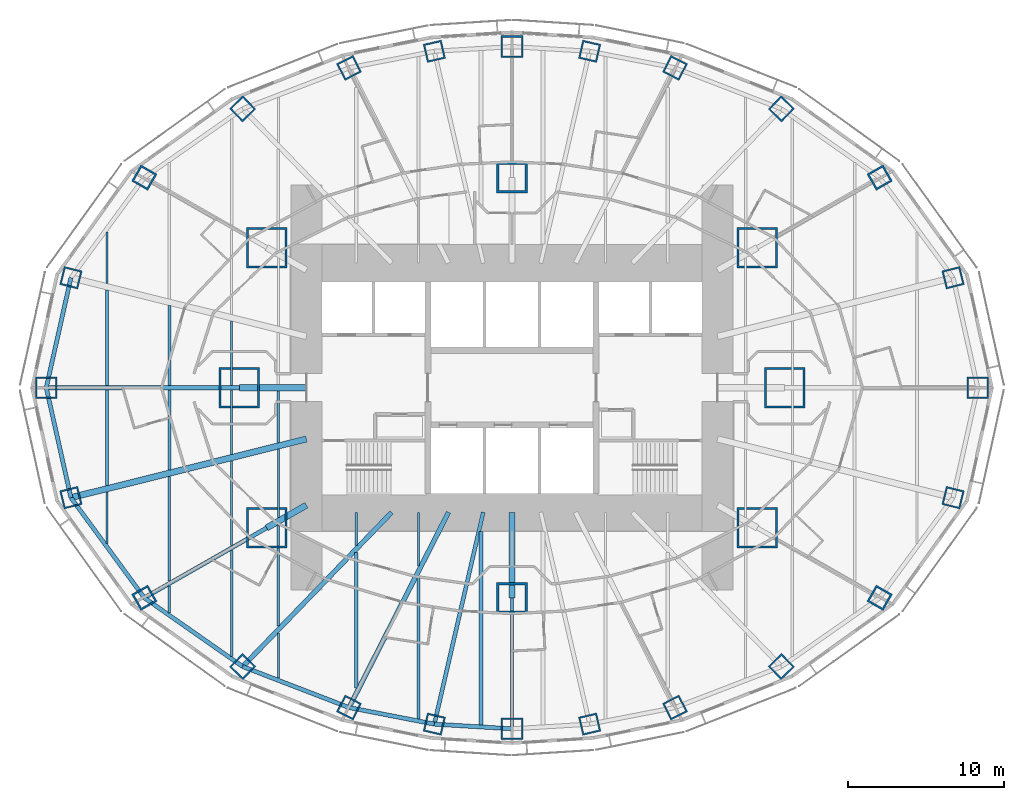
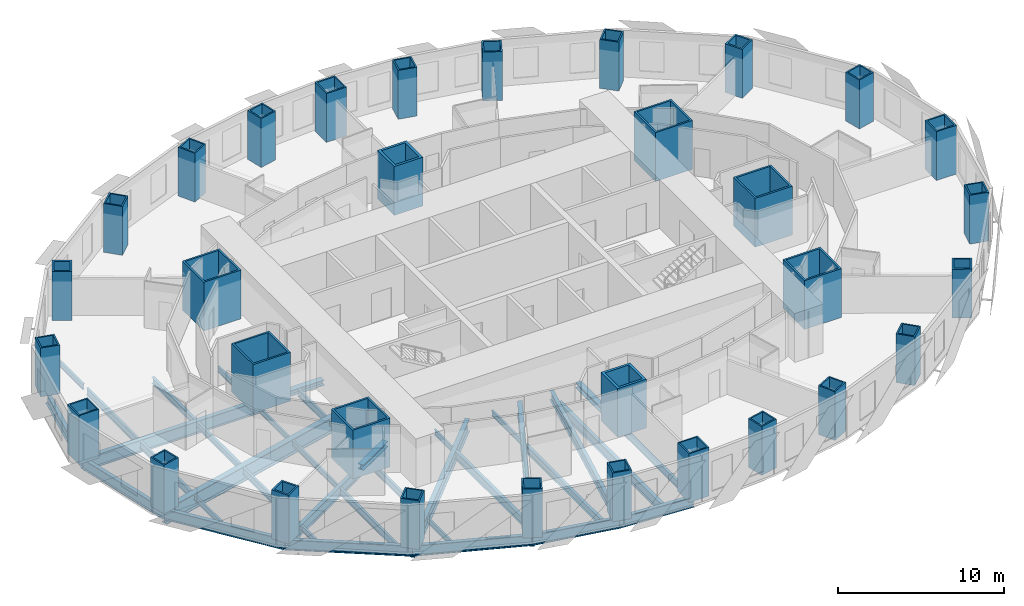
# One storey, part 1 of 15: 38 beams, 32 columns.
"""IFC4 building model written with IfcOpenShell, lengths in metres."""

from ifc_helpers import new_model, si_unit, direction, frame, origin, origin_2d, place, context, subcontext, project, spatial, rectangle, hollow_rectangle, i_section, extrude, material, material_profile, profile_set, type_object, element, save


model = new_model("IFC4")

# Units and contexts
model_context = context("Model", 3, precision=1e-05, world=origin(), true_north=direction((0.0, 1.0)))
body_context = subcontext(model_context, "Body", "Model", "MODEL_VIEW")
ifc_project = project(units=[si_unit("LENGTHUNIT", "METRE"), si_unit("AREAUNIT", "SQUARE_METRE"), si_unit("VOLUMEUNIT", "CUBIC_METRE"), si_unit("PLANEANGLEUNIT", "RADIAN"), si_unit("MASSUNIT", "GRAM", prefix="KILO")], contexts=[model_context])

# Site, building, storey
site_placement = place(None, origin())
site = spatial("IfcSite", under=ifc_project, at=site_placement, CompositionType="ELEMENT")
building_placement = place(site_placement, origin())
building = spatial("IfcBuilding", under=site, at=building_placement, Name="Lantaw Convention Tower", CompositionType="ELEMENT")
storey_placement = place(building_placement, frame((0.0, 0.0, 87.39990234375)))
storey = spatial("IfcBuildingStorey", under=building, at=storey_placement, Name="L20", CompositionType="ELEMENT", Elevation=87.39990234375)

# Columns
ifc_material_1 = material(Name="Steel EN 10025-3 S460N", Category="steel")
ifc_material_profile_1 = material_profile(ifc_material_1, hollow_rectangle(XDim=2.0, YDim=2.0, WallThickness=0.169921875, at=origin_2d()), Name="BOX2000X170")
ifc_material_2 = material(Name="Concrete C60/75", Category="concrete")
ifc_material_profile_2 = material_profile(ifc_material_2, rectangle(XDim=1.659912109375, YDim=1.659912109375, at=origin_2d()), Name="Concrete fill of BOX2000X170")
ifc_profile_set_1 = profile_set([ifc_material_profile_1, ifc_material_profile_2], Name="Steel EN 10025-3 S460N")
column_type_1 = type_object("IfcColumnType", Name="Column MC BOX2000X170", PredefinedType="COLUMN", material=ifc_profile_set_1)
for number, where, z_axis, x_axis, name in (
    (1, (0.0, 13.5, 0.0), (0.0, 0.0, 1.0), (1.0, 0.0, 0.0), "Mega column M3"),
    (2, (0.0, -13.5, 0.0), (0.0, 0.0, 1.0), (1.0, 0.0, 0.0), "Mega column M7"),
):
    element("IfcColumn", number, at=place(storey_placement, frame(where, z_axis=z_axis, x_axis=x_axis)), inside=storey, type_object=column_type_1, Name=name, PredefinedType="COLUMN", context=body_context, shape_type="SweptSolid", body=[
        extrude(hollow_rectangle(XDim=2.0, YDim=2.0, WallThickness=0.169921875, at=origin_2d()), origin(), (0.0, 0.0, 1.0), 3.60009765625),
    ])
ifc_material_profile_3 = material_profile(ifc_material_1, hollow_rectangle(XDim=2.60009765625, YDim=2.60009765625, WallThickness=0.1298828125, at=origin_2d()), Name="BOX2600X130")
ifc_material_profile_4 = material_profile(ifc_material_2, rectangle(XDim=2.340087890625, YDim=2.340087890625, at=origin_2d()), Name="Concrete fill of BOX2600X130")
ifc_profile_set_2 = profile_set([ifc_material_profile_3, ifc_material_profile_4], Name="Steel EN 10025-3 S460N")
column_type_2 = type_object("IfcColumnType", Name="Column MC BOX2600X130", PredefinedType="COLUMN", material=ifc_profile_set_2)
for number, where, z_axis, x_axis, name in (
    (3, (17.5, 0.0, 0.0), (0.0, 0.0, 1.0), (1.0, 0.0, 0.0), "Mega column M1"),
    (4, (15.75, 9.0, 0.0), (0.0, 0.0, 1.0), (1.0, 0.0, 0.0), "Mega column M2"),
    (5, (-15.75, 9.0, 0.0), (0.0, 0.0, 1.0), (1.0, 0.0, 0.0), "Mega column M4"),
    (6, (-17.5, 0.0, 0.0), (0.0, 0.0, 1.0), (1.0, 0.0, 0.0), "Mega column M5"),
    (7, (-15.75, -9.0, 0.0), (0.0, 0.0, 1.0), (1.0, 0.0, 0.0), "Mega column M6"),
    (8, (15.75, -9.0, 0.0), (0.0, 0.0, 1.0), (1.0, 0.0, 0.0), "Mega column M8"),
):
    element("IfcColumn", number, at=place(storey_placement, frame(where, z_axis=z_axis, x_axis=x_axis)), inside=storey, type_object=column_type_2, Name=name, PredefinedType="COLUMN", context=body_context, shape_type="SweptSolid", body=[
        extrude(hollow_rectangle(XDim=2.60009765625, YDim=2.60009765625, WallThickness=0.1298828125, at=origin_2d()), origin(), (0.0, 0.0, 1.0), 3.60009765625),
    ])
ifc_material_profile_5 = material_profile(ifc_material_1, hollow_rectangle(XDim=1.199951171875, YDim=1.199951171875, WallThickness=0.10009765625, at=origin_2d()), Name="BOX1200X100")
ifc_material_profile_6 = material_profile(ifc_material_2, rectangle(XDim=1.0, YDim=1.0, at=origin_2d()), Name="Concrete fill of BOX1200X100")
ifc_profile_set_3 = profile_set([ifc_material_profile_5, ifc_material_profile_6], Name="Steel EN 10025-3 S460N")
column_type_3 = type_object("IfcColumnType", Name="Column PC BOX1200X100", PredefinedType="COLUMN", material=ifc_profile_set_3)
for number, where, z_axis, x_axis, name in (
    (9, (28.31787109375, 7.060302734375, 0.0), (0.0, 0.0, 1.0), (0.970295726276, 0.2419218956, 0.0), "Perimeter column P2"),
    (10, (17.290771484375, 17.9052734375, 0.0), (0.0, 0.0, 1.0), (0.694658370459, 0.719339800339, 0.0), "Perimeter column P4"),
    (11, (10.462646484375, 20.533935546875, 0.0), (0.0, 0.0, 1.0), (0.45399049974, 0.891006524188, 0.0), "Perimeter column P5"),
    (12, (4.986328125, 21.59814453125, 0.0), (0.0, 0.0, 1.0), (0.224951054344, 0.974370064785, 0.0), "Perimeter column P6"),
    (13, (-4.986328125, 21.59814453125, 0.0), (0.0, 0.0, 1.0), (0.974370064785, 0.224951054344, 0.0), "Perimeter column P8"),
    (14, (-10.462646484375, 20.533935546875, 0.0), (0.0, 0.0, 1.0), (0.891006524188, 0.45399049974, 0.0), "Perimeter column P9"),
    (15, (-17.290771484375, 17.9052734375, 0.0), (0.0, 0.0, 1.0), (0.719339800339, 0.694658370459, 0.0), "Perimeter column P10"),
    (16, (-28.31787109375, 7.060302734375, 0.0), (0.0, 0.0, 1.0), (0.2419218956, 0.970295726276, 0.0), "Perimeter column P12"),
    (17, (-28.31787109375, -7.060302734375, 0.0), (0.0, 0.0, 1.0), (0.970295726276, 0.2419218956, 0.0), "Perimeter column P14"),
    (18, (-17.290771484375, -17.9052734375, 0.0), (0.0, 0.0, 1.0), (0.694658370459, 0.719339800339, 0.0), "Perimeter column P16"),
    (19, (-10.462646484375, -20.533935546875, 0.0), (0.0, 0.0, 1.0), (0.45399049974, 0.891006524188, 0.0), "Perimeter column P17"),
    (20, (-4.986328125, -21.59814453125, 0.0), (0.0, 0.0, 1.0), (0.224951054344, 0.974370064785, 0.0), "Perimeter column P18"),
    (21, (4.986328125, -21.59814453125, 0.0), (0.0, 0.0, 1.0), (0.974370064785, 0.224951054344, 0.0), "Perimeter column P20"),
    (22, (10.462646484375, -20.533935546875, 0.0), (0.0, 0.0, 1.0), (0.891006524188, 0.45399049974, 0.0), "Perimeter column P21"),
    (23, (17.290771484375, -17.9052734375, 0.0), (0.0, 0.0, 1.0), (0.719339800339, 0.694658370459, 0.0), "Perimeter column P22"),
    (24, (28.31787109375, -7.060302734375, 0.0), (0.0, 0.0, 1.0), (0.2419218956, 0.970295726276, 0.0), "Perimeter column P24"),
):
    element("IfcColumn", number, at=place(storey_placement, frame(where, z_axis=z_axis, x_axis=x_axis)), inside=storey, type_object=column_type_3, Name=name, PredefinedType="COLUMN", context=body_context, shape_type="SweptSolid", body=[
        extrude(hollow_rectangle(XDim=1.199951171875, YDim=1.199951171875, WallThickness=0.10009765625, at=origin_2d()), origin(), (0.0, 0.0, 1.0), 3.60009765625),
    ])
ifc_material_profile_7 = material_profile(ifc_material_1, hollow_rectangle(XDim=1.199951171875, YDim=1.199951171875, WallThickness=0.1201171875, at=origin_2d()), Name="BOX1200X120")
ifc_material_profile_8 = material_profile(ifc_material_2, rectangle(XDim=0.9599609375, YDim=0.9599609375, at=origin_2d()), Name="Concrete fill of BOX1200X120")
ifc_profile_set_4 = profile_set([ifc_material_profile_7, ifc_material_profile_8], Name="Steel EN 10025-3 S460N")
column_type_4 = type_object("IfcColumnType", Name="Column PC BOX1200X120", PredefinedType="COLUMN", material=ifc_profile_set_4)
for number, where, z_axis, x_axis, name in (
    (25, (23.60498046875, 13.488525390625, 0.0), (0.0, 0.0, 1.0), (0.86824298017, 0.496139221777, 0.0), "Perimeter column P3"),
    (26, (-23.60498046875, 13.488525390625, 0.0), (0.0, 0.0, 1.0), (0.496139221777, 0.86824298017, 0.0), "Perimeter column P11"),
    (27, (-23.60498046875, -13.488525390625, 0.0), (0.0, 0.0, 1.0), (0.86824298017, 0.496139221777, 0.0), "Perimeter column P15"),
    (28, (23.60498046875, -13.488525390625, 0.0), (0.0, 0.0, 1.0), (0.496139221777, 0.86824298017, 0.0), "Perimeter column P23"),
):
    element("IfcColumn", number, at=place(storey_placement, frame(where, z_axis=z_axis, x_axis=x_axis)), inside=storey, type_object=column_type_4, Name=name, PredefinedType="COLUMN", context=body_context, shape_type="SweptSolid", body=[
        extrude(hollow_rectangle(XDim=1.199951171875, YDim=1.199951171875, WallThickness=0.1201171875, at=origin_2d()), origin(), (0.0, 0.0, 1.0), 3.60009765625),
    ])
ifc_material_profile_9 = material_profile(ifc_material_1, hollow_rectangle(XDim=1.39990234375, YDim=1.39990234375, WallThickness=0.10009765625, at=origin_2d()), Name="BOX1400X100")
ifc_material_profile_10 = material_profile(ifc_material_2, rectangle(XDim=1.199951171875, YDim=1.199951171875, at=origin_2d()), Name="Concrete fill of BOX1400X100")
ifc_profile_set_5 = profile_set([ifc_material_profile_9, ifc_material_profile_10], Name="Steel EN 10025-3 S460N")
column_type_5 = type_object("IfcColumnType", Name="Column PC BOX1400X100", PredefinedType="COLUMN", material=ifc_profile_set_5)
for number, where, z_axis, x_axis, name in (
    (29, (29.89990234375, 0.0, 0.0), (0.0, 0.0, 1.0), (1.0, 0.0, 0.0), "Perimeter column P1"),
    (30, (0.0, 21.89990234375, 0.0), (0.0, 0.0, 1.0), (1.0, 0.0, 0.0), "Perimeter column P7"),
    (31, (-29.89990234375, 0.0, 0.0), (0.0, 0.0, 1.0), (1.0, 0.0, 0.0), "Perimeter column P13"),
    (32, (0.0, -21.89990234375, 0.0), (0.0, 0.0, 1.0), (1.0, 0.0, 0.0), "Perimeter column P19"),
):
    element("IfcColumn", number, at=place(storey_placement, frame(where, z_axis=z_axis, x_axis=x_axis)), inside=storey, type_object=column_type_5, Name=name, PredefinedType="COLUMN", context=body_context, shape_type="SweptSolid", body=[
        extrude(hollow_rectangle(XDim=1.39990234375, YDim=1.39990234375, WallThickness=0.10009765625, at=origin_2d()), origin(), (0.0, 0.0, 1.0), 3.60009765625),
    ])

# Beams
ifc_material_3 = material(Name="Steel ASTM A992", Category="steel")
ifc_material_profile_11 = material_profile(ifc_material_3, i_section(OverallWidth=0.2666015625, OverallDepth=0.76953125, WebThickness=0.015625, FlangeThickness=0.025390625, FilletRadius=0.0126953125, at=origin_2d()), Name="W30X132")
ifc_profile_set_6 = profile_set([ifc_material_profile_11], Name="Steel ASTM A992")
beam_type_1 = type_object("IfcBeamType", Name="Beam E W30X132", PredefinedType="SPANDREL", material=ifc_profile_set_6)
for number, where, z_axis, x_axis, name in (
    (33, (-28.31787109375, 7.060302734375, -0.53466796875), (-0.218652184873, -0.975802860239, 0.0), (0.975802860239, -0.218652184873, 0.0), "Edge beam 12"),
    (34, (-29.89990234375, 0.0, -0.53466796875), (0.218652184873, -0.975802860239, 0.0), (0.975802860239, 0.218652184873, 0.0), "Edge beam 13"),
):
    element("IfcBeam", number, at=place(storey_placement, frame(where, z_axis=z_axis, x_axis=x_axis)), inside=storey, type_object=beam_type_1, Name=name, PredefinedType="SPANDREL", context=body_context, shape_type="SweptSolid", body=[
        extrude(i_section(OverallWidth=0.2666015625, OverallDepth=0.76953125, WebThickness=0.015625, FlangeThickness=0.025390625, FilletRadius=0.0126953125, at=origin_2d()), origin(), (0.0, 0.0, 1.0), 7.2353515625),
    ])
beam_1_placement = place(storey_placement, frame((-28.31787109375, -7.060302734375, -0.53466796875), z_axis=(0.591270709086, -0.806473154281, 0.0), x_axis=(0.806473154281, 0.591270709086, 0.0)))
element("IfcBeam", 35, at=beam_1_placement, inside=storey, type_object=beam_type_1, Name="Edge beam 14", PredefinedType="SPANDREL", context=body_context, shape_type="SweptSolid", body=[
    extrude(i_section(OverallWidth=0.2666015625, OverallDepth=0.76953125, WebThickness=0.015625, FlangeThickness=0.025390625, FilletRadius=0.0126953125, at=origin_2d()), origin(), (0.0, 0.0, 1.0), 7.970703125),
])
beam_2_placement = place(storey_placement, frame((-23.60498046875, -13.488525390625, -0.53466796875), z_axis=(0.81942686407, -0.57318375277, 0.0), x_axis=(0.57318375277, 0.81942686407, 0.0)))
element("IfcBeam", 36, at=beam_2_placement, inside=storey, type_object=beam_type_1, Name="Edge beam 15", PredefinedType="SPANDREL", context=body_context, shape_type="SweptSolid", body=[
    extrude(i_section(OverallWidth=0.2666015625, OverallDepth=0.76953125, WebThickness=0.015625, FlangeThickness=0.025390625, FilletRadius=0.0126953125, at=origin_2d()), origin(), (0.0, 0.0, 1.0), 7.70556640625),
])
beam_3_placement = place(storey_placement, frame((-17.290771484375, -17.9052734375, -0.53466796875), z_axis=(0.933232900641, -0.359271976588, 0.0), x_axis=(0.359271976588, 0.933232900641, 0.0)))
element("IfcBeam", 37, at=beam_3_placement, inside=storey, type_object=beam_type_1, Name="Edge beam 16", PredefinedType="SPANDREL", context=body_context, shape_type="SweptSolid", body=[
    extrude(i_section(OverallWidth=0.2666015625, OverallDepth=0.76953125, WebThickness=0.015625, FlangeThickness=0.025390625, FilletRadius=0.0126953125, at=origin_2d()), origin(), (0.0, 0.0, 1.0), 7.316650390625),
])
beam_4_placement = place(storey_placement, frame((-10.462646484375, -20.533935546875, -0.53466796875), z_axis=(0.981636565323, -0.190760723474, 0.0), x_axis=(0.190760723474, 0.981636565323, 0.0)))
element("IfcBeam", 38, at=beam_4_placement, inside=storey, type_object=beam_type_1, Name="Edge beam 17", PredefinedType="SPANDREL", context=body_context, shape_type="SweptSolid", body=[
    extrude(i_section(OverallWidth=0.2666015625, OverallDepth=0.76953125, WebThickness=0.015625, FlangeThickness=0.025390625, FilletRadius=0.0126953125, at=origin_2d()), origin(), (0.0, 0.0, 1.0), 5.578857421875),
])
beam_5_placement = place(storey_placement, frame((-4.986328125, -21.59814453125, -0.53466796875), z_axis=(0.998173858406, -0.060406526096, 0.0), x_axis=(0.060406526096, 0.998173858406, 0.0)))
element("IfcBeam", 39, at=beam_5_placement, inside=storey, type_object=beam_type_1, Name="Edge beam 18", PredefinedType="SPANDREL", context=body_context, shape_type="SweptSolid", body=[
    extrude(i_section(OverallWidth=0.2666015625, OverallDepth=0.76953125, WebThickness=0.015625, FlangeThickness=0.025390625, FilletRadius=0.0126953125, at=origin_2d()), origin(), (0.0, 0.0, 1.0), 4.995361328125),
])
ifc_material_profile_12 = material_profile(ifc_material_3, i_section(OverallWidth=0.1650390625, OverallDepth=0.52587890625, WebThickness=0.0087890625, FlangeThickness=0.011474609375, FilletRadius=0.0126953125, at=origin_2d()), Name="W21X44")
ifc_profile_set_7 = profile_set([ifc_material_profile_12], Name="Steel ASTM A992")
beam_type_2 = type_object("IfcBeamType", Name="Beam G W21X44", PredefinedType="BEAM", material=ifc_profile_set_7)
beam_6_placement = place(storey_placement, frame((0.0, -13.5, -0.412841796875), z_axis=(0.0, -1.0, 0.0), x_axis=(1.0, 0.0, 0.0)))
element("IfcBeam", 40, at=beam_6_placement, inside=storey, type_object=beam_type_2, Name="Floor girder on ray 19", PredefinedType="BEAM", context=body_context, shape_type="SweptSolid", body=[
    extrude(i_section(OverallWidth=0.1650390625, OverallDepth=0.52587890625, WebThickness=0.0087890625, FlangeThickness=0.011474609375, FilletRadius=0.0126953125, at=origin_2d()), origin(), (0.0, 0.0, 1.0), 8.39990234375),
])
ifc_material_profile_13 = material_profile(ifc_material_3, i_section(OverallWidth=0.25390625, OverallDepth=0.683349609375, WebThickness=0.012451171875, FlangeThickness=0.01904296875, FilletRadius=0.01513671875, at=origin_2d()), Name="W27X94")
ifc_profile_set_8 = profile_set([ifc_material_profile_13], Name="Steel ASTM A992")
beam_type_3 = type_object("IfcBeamType", Name="Beam G W27X94", PredefinedType="BEAM", material=ifc_profile_set_8)
beam_7_placement = place(storey_placement, frame((-1.846923828125, -8.0, -0.491455078125), z_axis=(-0.224952773175, -0.97436966796, 0.0), x_axis=(0.97436966796, -0.224952773175, 0.0)))
element("IfcBeam", 41, at=beam_7_placement, inside=storey, type_object=beam_type_3, Name="Floor girder on ray 18", PredefinedType="BEAM", context=body_context, shape_type="SweptSolid", body=[
    extrude(i_section(OverallWidth=0.25390625, OverallDepth=0.683349609375, WebThickness=0.012451171875, FlangeThickness=0.01904296875, FilletRadius=0.01513671875, at=origin_2d()), origin(), (0.0, 0.0, 1.0), 13.955810546875),
])
ifc_material_profile_14 = material_profile(ifc_material_3, i_section(OverallWidth=0.2666015625, OverallDepth=0.7568359375, WebThickness=0.013916015625, FlangeThickness=0.019287109375, FilletRadius=0.0126953125, at=origin_2d()), Name="W30X108")
ifc_profile_set_9 = profile_set([ifc_material_profile_14], Name="Steel ASTM A992")
beam_type_4 = type_object("IfcBeamType", Name="Beam G W30X108", PredefinedType="BEAM", material=ifc_profile_set_9)
beam_8_placement = place(storey_placement, frame((-15.75, -9.0, -0.5283203125), z_axis=(-0.868244802791, -0.496136032179, 0.0), x_axis=(0.496136032179, -0.868244802791, 0.0)))
element("IfcBeam", 42, at=beam_8_placement, inside=storey, type_object=beam_type_4, Name="Floor girder on ray 15", PredefinedType="BEAM", context=body_context, shape_type="SweptSolid", body=[
    extrude(i_section(OverallWidth=0.2666015625, OverallDepth=0.7568359375, WebThickness=0.013916015625, FlangeThickness=0.019287109375, FilletRadius=0.0126953125, at=origin_2d()), origin(), (0.0, 0.0, 1.0), 9.046875),
])
ifc_material_profile_15 = material_profile(ifc_material_3, i_section(OverallWidth=0.307373046875, OverallDepth=0.922119140625, WebThickness=0.018310546875, FlangeThickness=0.030029296875, FilletRadius=0.0126953125, at=origin_2d()), Name="W36X182")
ifc_profile_set_10 = profile_set([ifc_material_profile_15], Name="Steel ASTM A992")
beam_type_5 = type_object("IfcBeamType", Name="Beam G W36X182", PredefinedType="BEAM", material=ifc_profile_set_10)
beam_9_placement = place(storey_placement, frame((-17.5, 0.0, -0.61083984375), z_axis=(-1.0, 0.0, 0.0), x_axis=(0.0, -1.0, 0.0)))
element("IfcBeam", 43, at=beam_9_placement, inside=storey, type_object=beam_type_5, Name="Floor girder on ray 13", PredefinedType="BEAM", context=body_context, shape_type="SweptSolid", body=[
    extrude(i_section(OverallWidth=0.307373046875, OverallDepth=0.922119140625, WebThickness=0.018310546875, FlangeThickness=0.030029296875, FilletRadius=0.0126953125, at=origin_2d()), origin(), (0.0, 0.0, 1.0), 12.39990234375),
])
beam_10_placement = place(storey_placement, frame((-7.7255859375, -8.0, -0.61083984375), z_axis=(-0.694649884291, -0.719347995239, 0.0), x_axis=(0.719347995239, -0.694649884291, 0.0)))
element("IfcBeam", 44, at=beam_10_placement, inside=storey, type_object=beam_type_5, Name="Floor girder on ray 16", PredefinedType="BEAM", context=body_context, shape_type="SweptSolid", body=[
    extrude(i_section(OverallWidth=0.307373046875, OverallDepth=0.922119140625, WebThickness=0.018310546875, FlangeThickness=0.030029296875, FilletRadius=0.0126953125, at=origin_2d()), origin(), (0.0, 0.0, 1.0), 13.769775390625),
])
beam_11_placement = place(storey_placement, frame((-4.076171875, -8.0, -0.61083984375), z_axis=(-0.453997016122, -0.891003203896, 0.0), x_axis=(0.891003203896, -0.453997016122, 0.0)))
element("IfcBeam", 45, at=beam_11_placement, inside=storey, type_object=beam_type_5, Name="Floor girder on ray 17", PredefinedType="BEAM", context=body_context, shape_type="SweptSolid", body=[
    extrude(i_section(OverallWidth=0.307373046875, OverallDepth=0.922119140625, WebThickness=0.018310546875, FlangeThickness=0.030029296875, FilletRadius=0.0126953125, at=origin_2d()), origin(), (0.0, 0.0, 1.0), 14.067138671875),
])
ifc_material_profile_16 = material_profile(ifc_material_3, i_section(OverallWidth=0.40380859375, OverallDepth=1.11767578125, WebThickness=0.026123046875, FlangeThickness=0.044921875, FilletRadius=0.02001953125, at=origin_2d()), Name="W44X335")
ifc_profile_set_11 = profile_set([ifc_material_profile_16], Name="Steel ASTM A992")
beam_type_6 = type_object("IfcBeamType", Name="Beam G W44X335", PredefinedType="BEAM", material=ifc_profile_set_11)
beam_12_placement = place(storey_placement, frame((-13.199951171875, -3.291015625, -0.708740234375), z_axis=(-0.970296233567, -0.241919860957, 0.0), x_axis=(0.241919860957, -0.970296233567, 0.0)))
element("IfcBeam", 46, at=beam_12_placement, inside=storey, type_object=beam_type_6, Name="Floor girder on ray 14", PredefinedType="BEAM", context=body_context, shape_type="SweptSolid", body=[
    extrude(i_section(OverallWidth=0.40380859375, OverallDepth=1.11767578125, WebThickness=0.026123046875, FlangeThickness=0.044921875, FilletRadius=0.02001953125, at=origin_2d()), origin(), (0.0, 0.0, 1.0), 15.580810546875),
])
ifc_material_profile_17 = material_profile(ifc_material_3, i_section(OverallWidth=0.40380859375, OverallDepth=0.406494140625, WebThickness=0.027099609375, FlangeThickness=0.043701171875, FilletRadius=0.01513671875, at=origin_2d()), Name="W14X233")
ifc_profile_set_12 = profile_set([ifc_material_profile_17], Name="Steel ASTM A992")
beam_type_7 = type_object("IfcBeamType", Name="Beam GM W14X233", PredefinedType="BEAM", material=ifc_profile_set_12)
beam_13_placement = place(storey_placement, frame((-13.199951171875, 0.0, -0.35302734375), z_axis=(-1.0, 0.0, 0.0), x_axis=(0.0, -1.0, 0.0)))
element("IfcBeam", 47, at=beam_13_placement, inside=storey, type_object=beam_type_7, Name="Core link beam on ray 13", PredefinedType="BEAM", context=body_context, shape_type="SweptSolid", body=[
    extrude(i_section(OverallWidth=0.40380859375, OverallDepth=0.406494140625, WebThickness=0.027099609375, FlangeThickness=0.043701171875, FilletRadius=0.01513671875, at=origin_2d()), origin(), (0.0, 0.0, 1.0), 4.300048828125),
])
beam_14_placement = place(storey_placement, frame((-13.199951171875, -7.54296875, -0.35302734375), z_axis=(-0.868263603466, -0.496103129295, 0.0), x_axis=(0.496103129295, -0.868263603466, 0.0)))
element("IfcBeam", 48, at=beam_14_placement, inside=storey, type_object=beam_type_7, Name="Core link beam on ray 15", PredefinedType="BEAM", context=body_context, shape_type="SweptSolid", body=[
    extrude(i_section(OverallWidth=0.40380859375, OverallDepth=0.406494140625, WebThickness=0.027099609375, FlangeThickness=0.043701171875, FilletRadius=0.01513671875, at=origin_2d()), origin(), (0.0, 0.0, 1.0), 2.93701171875),
])
beam_15_placement = place(storey_placement, frame((0.0, -8.0, -0.35302734375), z_axis=(0.0, -1.0, 0.0), x_axis=(1.0, 0.0, 0.0)))
element("IfcBeam", 49, at=beam_15_placement, inside=storey, type_object=beam_type_7, Name="Core link beam on ray 19", PredefinedType="BEAM", context=body_context, shape_type="SweptSolid", body=[
    extrude(i_section(OverallWidth=0.40380859375, OverallDepth=0.406494140625, WebThickness=0.027099609375, FlangeThickness=0.043701171875, FilletRadius=0.01513671875, at=origin_2d()), origin(), (0.0, 0.0, 1.0), 5.5),
])
ifc_material_profile_18 = material_profile(ifc_material_3, i_section(OverallWidth=0.140380859375, OverallDepth=0.40380859375, WebThickness=0.007080078125, FlangeThickness=0.01123046875, FilletRadius=0.01025390625, at=origin_2d()), Name="W16X31")
ifc_profile_set_13 = profile_set([ifc_material_profile_18], Name="Steel ASTM A992")
beam_type_8 = type_object("IfcBeamType", Name="Beam J W16X31", PredefinedType="JOIST", material=ifc_profile_set_13)
for number, where, z_axis, x_axis, name in (
    (50, (-26.0, -9.996337890625, -0.351806640625), (0.0, 1.0, 0.0), (-1.0, 0.0, 0.0), "Floor joist"),
    (51, (-26.0, 6.690673828125, -0.351806640625), (0.0, 1.0, 0.0), (-1.0, 0.0, 0.0), "Floor joist"),
):
    element("IfcBeam", number, at=place(storey_placement, frame(where, z_axis=z_axis, x_axis=x_axis)), inside=storey, type_object=beam_type_8, Name=name, PredefinedType="JOIST", context=body_context, shape_type="SweptSolid", body=[
        extrude(i_section(OverallWidth=0.140380859375, OverallDepth=0.40380859375, WebThickness=0.007080078125, FlangeThickness=0.01123046875, FilletRadius=0.01025390625, at=origin_2d()), origin(), (0.0, 0.0, 1.0), 3.3056640625),
    ])
beam_16_placement = place(storey_placement, frame((-22.0, -14.448486328125, -0.351806640625), z_axis=(0.0, 1.0, 0.0), x_axis=(-1.0, 0.0, 0.0)))
element("IfcBeam", 52, at=beam_16_placement, inside=storey, type_object=beam_type_8, Name="Floor joist", PredefinedType="JOIST", context=body_context, shape_type="SweptSolid", body=[
    extrude(i_section(OverallWidth=0.140380859375, OverallDepth=0.40380859375, WebThickness=0.007080078125, FlangeThickness=0.01123046875, FilletRadius=0.01025390625, at=origin_2d()), origin(), (0.0, 0.0, 1.0), 1.723388671875),
])
beam_17_placement = place(storey_placement, frame((-18.0, -10.132080078125, -0.351806640625), z_axis=(0.0, 1.0, 0.0), x_axis=(-1.0, 0.0, 0.0)))
element("IfcBeam", 53, at=beam_17_placement, inside=storey, type_object=beam_type_8, Name="Floor joist", PredefinedType="JOIST", context=body_context, shape_type="SweptSolid", body=[
    extrude(i_section(OverallWidth=0.140380859375, OverallDepth=0.40380859375, WebThickness=0.007080078125, FlangeThickness=0.01123046875, FilletRadius=0.01025390625, at=origin_2d()), origin(), (0.0, 0.0, 1.0), 5.43603515625),
])
for number, where, z_axis, x_axis, name in (
    (54, (-18.0, -4.27978515625, -0.351806640625), (0.0, 1.0, 0.0), (-1.0, 0.0, 0.0), "Floor joist"),
    (55, (-18.0, 0.153564453125, -0.351806640625), (0.0, 1.0, 0.0), (-1.0, 0.0, 0.0), "Floor joist"),
):
    element("IfcBeam", number, at=place(storey_placement, frame(where, z_axis=z_axis, x_axis=x_axis)), inside=storey, type_object=beam_type_8, Name=name, PredefinedType="JOIST", context=body_context, shape_type="SweptSolid", body=[
        extrude(i_section(OverallWidth=0.140380859375, OverallDepth=0.40380859375, WebThickness=0.007080078125, FlangeThickness=0.01123046875, FilletRadius=0.01025390625, at=origin_2d()), origin(), (0.0, 0.0, 1.0), 4.126220703125),
    ])
beam_18_placement = place(storey_placement, frame((-15.0, -18.644287109375, -0.351806640625), z_axis=(0.0, 1.0, 0.0), x_axis=(-1.0, 0.0, 0.0)))
element("IfcBeam", 56, at=beam_18_placement, inside=storey, type_object=beam_type_8, Name="Floor joist", PredefinedType="JOIST", context=body_context, shape_type="SweptSolid", body=[
    extrude(i_section(OverallWidth=0.140380859375, OverallDepth=0.40380859375, WebThickness=0.007080078125, FlangeThickness=0.01123046875, FilletRadius=0.01025390625, at=origin_2d()), origin(), (0.0, 0.0, 1.0), 2.89013671875),
])
beam_19_placement = place(storey_placement, frame((-15.0, -8.3388671875, -0.351806640625), z_axis=(0.0, 1.0, 0.0), x_axis=(-1.0, 0.0, 0.0)))
element("IfcBeam", 57, at=beam_19_placement, inside=storey, type_object=beam_type_8, Name="Floor joist", PredefinedType="JOIST", context=body_context, shape_type="SweptSolid", body=[
    extrude(i_section(OverallWidth=0.140380859375, OverallDepth=0.40380859375, WebThickness=0.007080078125, FlangeThickness=0.01123046875, FilletRadius=0.01025390625, at=origin_2d()), origin(), (0.0, 0.0, 1.0), 4.390869140625),
])
beam_20_placement = place(storey_placement, frame((-10.0, -10.134033203125, -0.351806640625), z_axis=(0.0, 1.0, 0.0), x_axis=(-1.0, 0.0, 0.0)))
element("IfcBeam", 58, at=beam_20_placement, inside=storey, type_object=beam_type_8, Name="Floor joist", PredefinedType="JOIST", context=body_context, shape_type="SweptSolid", body=[
    extrude(i_section(OverallWidth=0.140380859375, OverallDepth=0.40380859375, WebThickness=0.007080078125, FlangeThickness=0.01123046875, FilletRadius=0.01025390625, at=origin_2d()), origin(), (0.0, 0.0, 1.0), 2.134033203125),
])
beam_21_placement = place(storey_placement, frame((-6.0, -11.437255859375, -0.351806640625), z_axis=(0.0, 1.0, 0.0), x_axis=(-1.0, 0.0, 0.0)))
element("IfcBeam", 59, at=beam_21_placement, inside=storey, type_object=beam_type_8, Name="Floor joist", PredefinedType="JOIST", context=body_context, shape_type="SweptSolid", body=[
    extrude(i_section(OverallWidth=0.140380859375, OverallDepth=0.40380859375, WebThickness=0.007080078125, FlangeThickness=0.01123046875, FilletRadius=0.01025390625, at=origin_2d()), origin(), (0.0, 0.0, 1.0), 3.437255859375),
])
ifc_material_profile_19 = material_profile(ifc_material_3, i_section(OverallWidth=0.1904296875, OverallDepth=0.457275390625, WebThickness=0.009033203125, FlangeThickness=0.014404296875, FilletRadius=0.01025390625, at=origin_2d()), Name="W18X50")
ifc_profile_set_14 = profile_set([ifc_material_profile_19], Name="Steel ASTM A992")
beam_type_9 = type_object("IfcBeamType", Name="Beam J W18X50", PredefinedType="JOIST", material=ifc_profile_set_14)
for number, where, z_axis, x_axis, name in (
    (60, (-22.0, -5.277099609375, -0.37841796875), (0.0, 1.0, 0.0), (-1.0, 0.0, 0.0), "Floor joist"),
    (61, (-22.0, 0.153564453125, -0.37841796875), (0.0, 1.0, 0.0), (-1.0, 0.0, 0.0), "Floor joist"),
):
    element("IfcBeam", number, at=place(storey_placement, frame(where, z_axis=z_axis, x_axis=x_axis)), inside=storey, type_object=beam_type_9, Name=name, PredefinedType="JOIST", context=body_context, shape_type="SweptSolid", body=[
        extrude(i_section(OverallWidth=0.1904296875, OverallDepth=0.457275390625, WebThickness=0.009033203125, FlangeThickness=0.014404296875, FilletRadius=0.01025390625, at=origin_2d()), origin(), (0.0, 0.0, 1.0), 5.12353515625),
    ])
ifc_material_profile_20 = material_profile(ifc_material_3, i_section(OverallWidth=0.1650390625, OverallDepth=0.52587890625, WebThickness=0.0087890625, FlangeThickness=0.011474609375, FilletRadius=0.0126953125, at=origin_2d()), Name="W21X44")
ifc_profile_set_15 = profile_set([ifc_material_profile_20], Name="Steel ASTM A992")
beam_type_10 = type_object("IfcBeamType", Name="Beam J W21X44", PredefinedType="JOIST", material=ifc_profile_set_15)
beam_22_placement = place(storey_placement, frame((-22.0, -12.41796875, -0.412841796875), z_axis=(0.0, 1.0, 0.0), x_axis=(-1.0, 0.0, 0.0)))
element("IfcBeam", 62, at=beam_22_placement, inside=storey, type_object=beam_type_10, Name="Floor joist", PredefinedType="JOIST", context=body_context, shape_type="SweptSolid", body=[
    extrude(i_section(OverallWidth=0.1650390625, OverallDepth=0.52587890625, WebThickness=0.0087890625, FlangeThickness=0.011474609375, FilletRadius=0.0126953125, at=origin_2d()), origin(), (0.0, 0.0, 1.0), 6.724609375),
])
beam_23_placement = place(storey_placement, frame((-18.0, -17.246337890625, -0.412841796875), z_axis=(0.0, 1.0, 0.0), x_axis=(-1.0, 0.0, 0.0)))
element("IfcBeam", 63, at=beam_23_placement, inside=storey, type_object=beam_type_10, Name="Floor joist", PredefinedType="JOIST", context=body_context, shape_type="SweptSolid", body=[
    extrude(i_section(OverallWidth=0.1650390625, OverallDepth=0.52587890625, WebThickness=0.0087890625, FlangeThickness=0.011474609375, FilletRadius=0.0126953125, at=origin_2d()), origin(), (0.0, 0.0, 1.0), 6.80712890625),
])
beam_24_placement = place(storey_placement, frame((-15.0, -15.311767578125, -0.412841796875), z_axis=(0.0, 1.0, 0.0), x_axis=(-1.0, 0.0, 0.0)))
element("IfcBeam", 64, at=beam_24_placement, inside=storey, type_object=beam_type_10, Name="Floor joist", PredefinedType="JOIST", context=body_context, shape_type="SweptSolid", body=[
    extrude(i_section(OverallWidth=0.1650390625, OverallDepth=0.52587890625, WebThickness=0.0087890625, FlangeThickness=0.011474609375, FilletRadius=0.0126953125, at=origin_2d()), origin(), (0.0, 0.0, 1.0), 6.5078125),
])
ifc_material_profile_21 = material_profile(ifc_material_3, i_section(OverallWidth=0.165771484375, OverallDepth=0.5283203125, WebThickness=0.009765625, FlangeThickness=0.013671875, FilletRadius=0.012939453125, at=origin_2d()), Name="W21X50")
ifc_profile_set_16 = profile_set([ifc_material_profile_21], Name="Steel ASTM A992")
beam_type_11 = type_object("IfcBeamType", Name="Beam J W21X50", PredefinedType="JOIST", material=ifc_profile_set_16)
for number, where, z_axis, x_axis, name in (
    (65, (-26.0, -6.2744140625, -0.4140625), (0.0, 1.0, 0.0), (-1.0, 0.0, 0.0), "Floor joist"),
    (66, (-26.0, 0.153564453125, -0.4140625), (0.0, 1.0, 0.0), (-1.0, 0.0, 0.0), "Floor joist"),
):
    element("IfcBeam", number, at=place(storey_placement, frame(where, z_axis=z_axis, x_axis=x_axis)), inside=storey, type_object=beam_type_11, Name=name, PredefinedType="JOIST", context=body_context, shape_type="SweptSolid", body=[
        extrude(i_section(OverallWidth=0.165771484375, OverallDepth=0.5283203125, WebThickness=0.009765625, FlangeThickness=0.013671875, FilletRadius=0.012939453125, at=origin_2d()), origin(), (0.0, 0.0, 1.0), 6.120849609375),
    ])
beam_25_placement = place(storey_placement, frame((-15.0, -3.53173828125, -0.4140625), z_axis=(0.0, 1.0, 0.0), x_axis=(-1.0, 0.0, 0.0)))
element("IfcBeam", 67, at=beam_25_placement, inside=storey, type_object=beam_type_11, Name="Floor joist", PredefinedType="JOIST", context=body_context, shape_type="SweptSolid", body=[
    extrude(i_section(OverallWidth=0.165771484375, OverallDepth=0.5283203125, WebThickness=0.009765625, FlangeThickness=0.013671875, FilletRadius=0.012939453125, at=origin_2d()), origin(), (0.0, 0.0, 1.0), 3.329833984375),
])
ifc_material_profile_22 = material_profile(ifc_material_3, i_section(OverallWidth=0.2099609375, OverallDepth=0.535888671875, WebThickness=0.010986328125, FlangeThickness=0.017333984375, FilletRadius=0.012939453125, at=origin_2d()), Name="W21X68")
ifc_profile_set_17 = profile_set([ifc_material_profile_22], Name="Steel ASTM A992")
beam_type_12 = type_object("IfcBeamType", Name="Beam J W21X68", PredefinedType="JOIST", material=ifc_profile_set_17)
beam_26_placement = place(storey_placement, frame((-6.0, -21.26513671875, -0.41796875), z_axis=(0.0, 1.0, 0.0), x_axis=(-1.0, 0.0, 0.0)))
element("IfcBeam", 68, at=beam_26_placement, inside=storey, type_object=beam_type_12, Name="Floor joist", PredefinedType="JOIST", context=body_context, shape_type="SweptSolid", body=[
    extrude(i_section(OverallWidth=0.2099609375, OverallDepth=0.535888671875, WebThickness=0.010986328125, FlangeThickness=0.017333984375, FilletRadius=0.012939453125, at=origin_2d()), origin(), (0.0, 0.0, 1.0), 9.15087890625),
])
ifc_material_profile_23 = material_profile(ifc_material_3, i_section(OverallWidth=0.227783203125, OverallDepth=0.60205078125, WebThickness=0.010498046875, FlangeThickness=0.014892578125, FilletRadius=0.012939453125, at=origin_2d()), Name="W24X68")
ifc_profile_set_18 = profile_set([ifc_material_profile_23], Name="Steel ASTM A992")
beam_type_13 = type_object("IfcBeamType", Name="Beam J W24X68", PredefinedType="JOIST", material=ifc_profile_set_18)
beam_27_placement = place(storey_placement, frame((-10.0, -19.28759765625, -0.450927734375), z_axis=(0.0, 1.0, 0.0), x_axis=(-1.0, 0.0, 0.0)))
element("IfcBeam", 69, at=beam_27_placement, inside=storey, type_object=beam_type_13, Name="Floor joist", PredefinedType="JOIST", context=body_context, shape_type="SweptSolid", body=[
    extrude(i_section(OverallWidth=0.227783203125, OverallDepth=0.60205078125, WebThickness=0.010498046875, FlangeThickness=0.014892578125, FilletRadius=0.012939453125, at=origin_2d()), origin(), (0.0, 0.0, 1.0), 8.711181640625),
])
ifc_material_profile_24 = material_profile(ifc_material_3, i_section(OverallWidth=0.25390625, OverallDepth=0.700927734375, WebThickness=0.015380859375, FlangeThickness=0.02783203125, FilletRadius=0.01513671875, at=origin_2d()), Name="W27X129")
ifc_profile_set_19 = profile_set([ifc_material_profile_24], Name="Steel ASTM A992")
beam_type_14 = type_object("IfcBeamType", Name="Beam J W27X129", PredefinedType="JOIST", material=ifc_profile_set_19)
beam_28_placement = place(storey_placement, frame((-2.0, -21.645263671875, -0.50048828125), z_axis=(0.0, 1.0, 0.0), x_axis=(-1.0, 0.0, 0.0)))
element("IfcBeam", 70, at=beam_28_placement, inside=storey, type_object=beam_type_14, Name="Floor joist", PredefinedType="JOIST", context=body_context, shape_type="SweptSolid", body=[
    extrude(i_section(OverallWidth=0.25390625, OverallDepth=0.700927734375, WebThickness=0.015380859375, FlangeThickness=0.02783203125, FilletRadius=0.01513671875, at=origin_2d()), origin(), (0.0, 0.0, 1.0), 12.417724609375),
])

save(model, "model.ifc")
